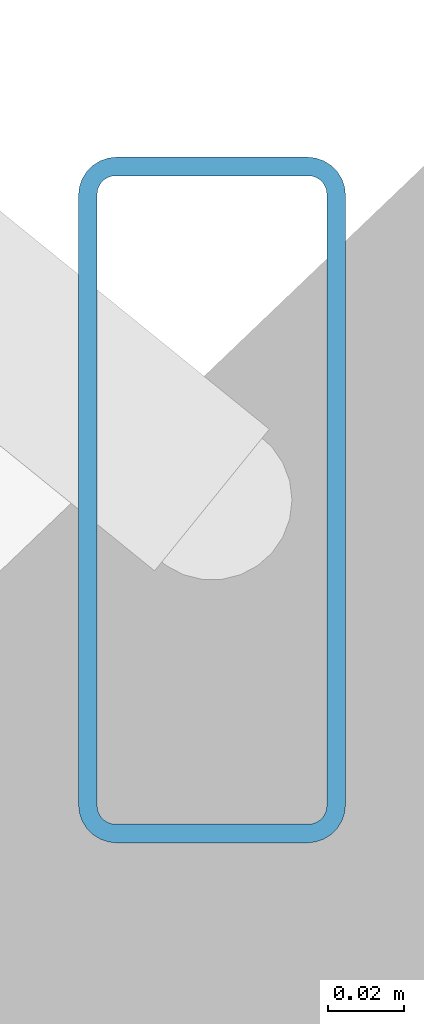
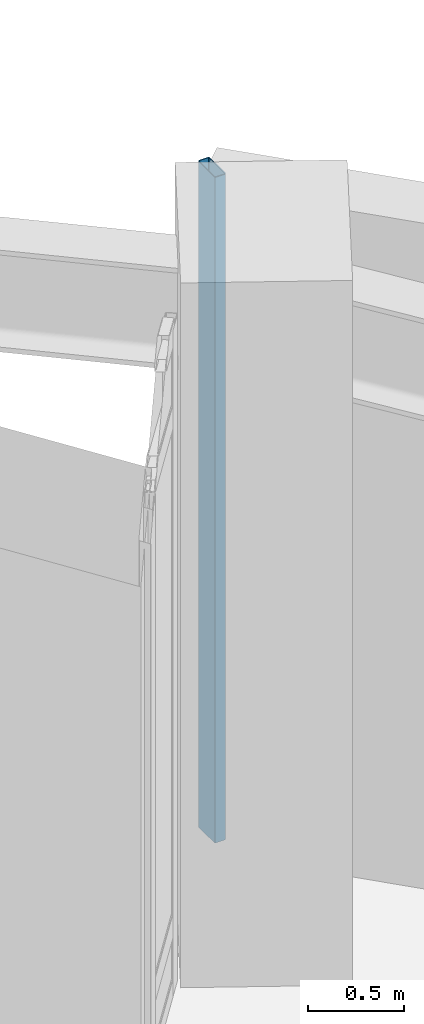
# One storey, part 6 of 16: 1 member, 1 element without a shape of its own.
"""IFC4 building model written with IfcOpenShell, lengths in metres."""

import ifcopenshell
import ifcopenshell.guid

model = None  # the IFC model being written
_history = None  # IfcOwnerHistory: only IFC2X3 demands one
_inside = {}  # id of a spatial element -> (the spatial element, [elements in it])
_under = {}  # id of a project, library or spatial element -> (it, [spatial elements below it])
_declared = {}  # id of a project -> (the project, [libraries it declares])
_typed = {}  # id of a type object -> (the type object, [elements of that type])
_made_of = {}  # id of a material, layer set ... -> (it, [elements and type objects made of it])


def new_model(schema):
    """Start an empty IFC model of exactly this schema.

    Asked for "IFC4X3", IfcOpenShell would pick the latest addendum, in which some entities
    have other attributes; the version numbers below select the first issue.
    IFC2X3 requires an IfcOwnerHistory on every rooted entity: one is made here for all.
    """
    global model, _history
    if schema == "IFC4X3":
        model = ifcopenshell.file(schema_version=(4, 3, 0, 0))
    else:
        model = ifcopenshell.file(schema=schema)
    _inside.clear()
    _under.clear()
    _declared.clear()
    _typed.clear()
    _made_of.clear()
    _history = None
    if model.schema == "IFC2X3":
        org = make("IfcOrganization", Name="unknown")
        user = make(
            "IfcPersonAndOrganization",
            ThePerson=make("IfcPerson", FamilyName="unknown"),
            TheOrganization=org,
        )
        app = make(
            "IfcApplication",
            ApplicationDeveloper=org,
            Version="unknown",
            ApplicationFullName="unknown",
            ApplicationIdentifier="unknown",
        )
        _history = make(
            "IfcOwnerHistory",
            OwningUser=user,
            OwningApplication=app,
            ChangeAction="ADDED",
            CreationDate=0,
        )
    return model


def make(cls, **values):
    """One entity of the class cls with the attributes given. An attribute that is None is left unset."""
    return model.create_entity(
        cls, **{name: value for name, value in values.items() if value is not None}
    )


def rooted(cls, **values):
    """An entity with a GlobalId (a new one), such as an element, a storey or a relation."""
    return make(cls, GlobalId=ifcopenshell.guid.new(), OwnerHistory=_history, **values)


def si_unit(unit_type, name, prefix=None):
    """IfcSIUnit, for example si_unit("LENGTHUNIT", "METRE", prefix="MILLI")."""
    return make("IfcSIUnit", UnitType=unit_type, Prefix=prefix, Name=name)


def assignment(units):
    """IfcUnitAssignment: the units of a project."""
    return None if units is None else make("IfcUnitAssignment", Units=units)


def point(xyz):
    """IfcCartesianPoint."""
    return None if xyz is None else make("IfcCartesianPoint", Coordinates=xyz)


def direction(xyz):
    """IfcDirection."""
    return None if xyz is None else make("IfcDirection", DirectionRatios=xyz)


def frame(location, z_axis=None, x_axis=None):
    """IfcAxis2Placement3D, a coordinate frame: its origin and axes. An axis left out is left unset."""
    return make(
        "IfcAxis2Placement3D",
        Location=point(location),
        Axis=direction(z_axis),
        RefDirection=direction(x_axis),
    )


def frame_2d(location, x_axis=None):
    """IfcAxis2Placement2D, a coordinate frame in the plane: its origin and x axis."""
    return make(
        "IfcAxis2Placement2D", Location=point(location), RefDirection=direction(x_axis)
    )


def origin():
    """The frame at (0, 0, 0) with its axes left unset."""
    return frame((0.0, 0.0, 0.0))


def origin_2d():
    """The frame at (0, 0) in the plane with its x axis left unset."""
    return frame_2d((0.0, 0.0))


def place(relative_to, where):
    """IfcLocalPlacement: puts the frame where relative to a parent placement (None: the world)."""
    return make(
        "IfcLocalPlacement", PlacementRelTo=relative_to, RelativePlacement=where
    )


def context(
    kind, dimensions, precision=None, world=None, true_north=None, identifier=None
):
    """IfcGeometricRepresentationContext, for example the 3D "Model" context."""
    return make(
        "IfcGeometricRepresentationContext",
        ContextIdentifier=identifier,
        ContextType=kind,
        CoordinateSpaceDimension=dimensions,
        Precision=precision,
        WorldCoordinateSystem=world,
        TrueNorth=true_north,
    )


def subcontext(parent, identifier, kind, view, scale=None):
    """IfcGeometricRepresentationSubContext, for example "Body" below "Model"."""
    return make(
        "IfcGeometricRepresentationSubContext",
        ContextIdentifier=identifier,
        ContextType=kind,
        ParentContext=parent,
        TargetScale=scale,
        TargetView=view,
    )


def project(units=None, contexts=None):
    """IfcProject with its units and contexts."""
    return rooted(
        "IfcProject",
        Name="project",
        RepresentationContexts=contexts,
        UnitsInContext=assignment(units),
    )


def spatial(cls, under=None, at=None, **own):
    """A site, building, storey or space (cls), placed at a placement, below another one or the project."""
    s = rooted(cls, ObjectPlacement=at, **own)
    if under is not None:
        _under.setdefault(under.id(), (under, []))[1].append(s)
    return s


def profile(cls, at=None, kind="AREA", **sizes):
    """A parametric profile (cls). Its sizes go by their IFC names, for example OverallWidth=200.0."""
    return make(cls, ProfileType=kind, Position=at, **sizes)


def hollow_rectangle(**sizes):
    """IfcRectangleHollowProfileDef."""
    return profile("IfcRectangleHollowProfileDef", **sizes)


def extrude(swept, where, along, depth):
    """IfcExtrudedAreaSolid: the profile swept, set in the frame where, extruded along a direction by depth."""
    return make(
        "IfcExtrudedAreaSolid",
        SweptArea=swept,
        Position=where,
        ExtrudedDirection=direction(along),
        Depth=depth,
    )


def shape(context_of_items, identifier, shape_type, items):
    """IfcShapeRepresentation: the items that make up one representation, for example the "Body"."""
    return make(
        "IfcShapeRepresentation",
        ContextOfItems=context_of_items,
        RepresentationIdentifier=identifier,
        RepresentationType=shape_type,
        Items=items,
    )


def material(Name=None, Category=None):
    """IfcMaterial."""
    return make("IfcMaterial", Name=Name, Category=Category)


def layer(
    of_material, thickness, ventilated=None, Name=None, Category=None, Priority=None
):
    """IfcMaterialLayer: one layer of a wall or slab, of a material (None: an air gap)."""
    return make(
        "IfcMaterialLayer",
        Material=of_material,
        LayerThickness=thickness,
        IsVentilated=ventilated,
        Name=Name,
        Category=Category,
        Priority=Priority,
    )


def layer_set(layers, Name=None):
    """IfcMaterialLayerSet."""
    return make("IfcMaterialLayerSet", MaterialLayers=layers, LayerSetName=Name)


def material_profile(
    of_material, cross_section, Name=None, Category=None, Priority=None
):
    """IfcMaterialProfile: a cross section and its material."""
    return make(
        "IfcMaterialProfile",
        Name=Name,
        Material=of_material,
        Profile=cross_section,
        Priority=Priority,
        Category=Category,
    )


def profile_set(profiles, Name=None, composite=None):
    """IfcMaterialProfileSet."""
    return make(
        "IfcMaterialProfileSet",
        Name=Name,
        MaterialProfiles=profiles,
        CompositeProfile=composite,
    )


def made_of(thing, what):
    """Note that an element or type object is made of a material, layer set ...; save() writes the relation."""
    if what is not None:
        _made_of.setdefault(what.id(), (what, []))[1].append(thing)
    return thing


def type_object(cls, material=None, **own):
    """A type object (cls), such as IfcWallType, which elements share."""
    return made_of(rooted(cls, **own), material)


def element(
    cls,
    number,
    at=None,
    inside=None,
    cuts=None,
    type_object=None,
    material=None,
    context=None,
    identifier="Body",
    shape_type=None,
    held_by="IfcProductDefinitionShape",
    body=None,
    shapes=None,
    **own,
):
    """One element of the class cls, such as IfcWall. Its Tag is "e" and its number.

    at: its placement. inside: the storey or other place that contains it. cuts: it is an
    opening in that element (IfcRelVoidsElement). A single representation is given by context,
    identifier, shape_type and body (its items); several are given by shapes. held_by: the class
    of the entity that holds the representations. save() writes the other relations.
    """
    e = rooted(cls, Tag="e%d" % number, ObjectPlacement=at, **own)
    if body is not None:
        shapes = [shape(context, identifier, shape_type, body)]
    if shapes is not None:
        e.Representation = make(held_by, Representations=shapes)
    if inside is not None:
        _inside.setdefault(inside.id(), (inside, []))[1].append(e)
    if cuts is not None:
        rooted(
            "IfcRelVoidsElement", RelatingBuildingElement=cuts, RelatedOpeningElement=e
        )
    if type_object is not None:
        _typed.setdefault(type_object.id(), (type_object, []))[1].append(e)
    return made_of(e, material)


def aggregate(whole, parts):
    """IfcRelAggregates: a whole, such as a stair, and the parts it consists of."""
    return rooted("IfcRelAggregates", RelatingObject=whole, RelatedObjects=parts)


def save(model, path):
    """Write the relations noted so far, then the file.

    IfcRelAggregates (storeys below a building ...), IfcRelContainedInSpatialStructure (elements
    in a storey), IfcRelDefinesByType, IfcRelAssociatesMaterial and IfcRelDeclares: one each for
    every whole, place, type object, material and project.
    """
    for whole, parts in _under.values():
        aggregate(whole, parts)
    for where, things in _inside.values():
        rooted(
            "IfcRelContainedInSpatialStructure",
            RelatedElements=things,
            RelatingStructure=where,
        )
    for kind, things in _typed.values():
        rooted("IfcRelDefinesByType", RelatedObjects=things, RelatingType=kind)
    for what, things in _made_of.values():
        rooted("IfcRelAssociatesMaterial", RelatedObjects=things, RelatingMaterial=what)
    for by, libraries in _declared.values():
        rooted("IfcRelDeclares", RelatingContext=by, RelatedDefinitions=libraries)
    model.write(path)


model = new_model("IFC4")

# Units and contexts
model_context = context("Model", 3, precision=1e-05, world=origin(), true_north=direction((0.0, 1.0)))
body_context = subcontext(model_context, "Body", "Model", "MODEL_VIEW")
ifc_project = project(units=[si_unit("LENGTHUNIT", "METRE"), si_unit("AREAUNIT", "SQUARE_METRE"), si_unit("VOLUMEUNIT", "CUBIC_METRE"), si_unit("PLANEANGLEUNIT", "RADIAN"), si_unit("MASSUNIT", "GRAM", prefix="KILO")], contexts=[model_context])

# Site, building, storey
site_placement = place(None, origin())
site = spatial("IfcSite", under=ifc_project, at=site_placement, CompositionType="ELEMENT")
building_placement = place(site_placement, origin())
building = spatial("IfcBuilding", under=site, at=building_placement, Name="Ndelora Gate Hotel", CompositionType="ELEMENT")
storey_placement = place(building_placement, frame((0.0, 0.0, 92.75)))
storey = spatial("IfcBuildingStorey", under=building, at=storey_placement, Name="L22", CompositionType="ELEMENT", Elevation=92.75)

# Curtain wall, member
ifc_material_1 = material(Name="Bronze Anodised Unitised Aluminium and Low-E Glass", Category="aluminium")
ifc_layer = layer(ifc_material_1, 0.199951171875)
ifc_layer_set = layer_set([ifc_layer], Name="Bronze Anodised Unitised Aluminium and Low-E Glass")
curtain_wall_type = type_object("IfcCurtainWallType", Name="CW-SYS-3", PredefinedType="NOTDEFINED", material=ifc_layer_set)
curtain_wall_placement = place(storey_placement, origin())
curtain_wall = element("IfcCurtainWall", 1, at=curtain_wall_placement, inside=storey, type_object=curtain_wall_type, Name="L22 Sky-Garden Loggia Side Curtain Wall CW3-1", PredefinedType="NOTDEFINED")
ifc_material_2 = material(Name="Bronze Anodised Aluminium 6063-T6", Category="aluminium")
ifc_material_profile = material_profile(ifc_material_2, hollow_rectangle(XDim=0.070068359375, YDim=0.179931640625, WallThickness=0.0048828125, InnerFilletRadius=0.0048828125, OuterFilletRadius=0.010009765625, at=origin_2d()), Name="ALU 180x70x5")
ifc_profile_set = profile_set([ifc_material_profile], Name="Bronze Anodised Aluminium 6063-T6")
member_type = type_object("IfcMemberType", Name="MB-CW-MUL180", PredefinedType="MULLION", material=ifc_profile_set)
member_placement = place(storey_placement, frame((14.497802734375, 9.640380859375, 0.0), z_axis=(0.0, 0.0, 1.0), x_axis=(1.0, 0.0, 0.0)))
member = element("IfcMember", 2, at=member_placement, type_object=member_type, Name="L22 Sky-Garden Loggia Corner Mullion Post 1", PredefinedType="MULLION", context=body_context, shape_type="SweptSolid", body=[
    extrude(hollow_rectangle(XDim=0.070068359375, YDim=0.179931640625, WallThickness=0.0048828125, InnerFilletRadius=0.0048828125, OuterFilletRadius=0.010009765625, at=origin_2d()), origin(), (0.0, 0.0, 1.0), 4.25),
])
aggregate(curtain_wall, [member])

save(model, "model.ifc")
